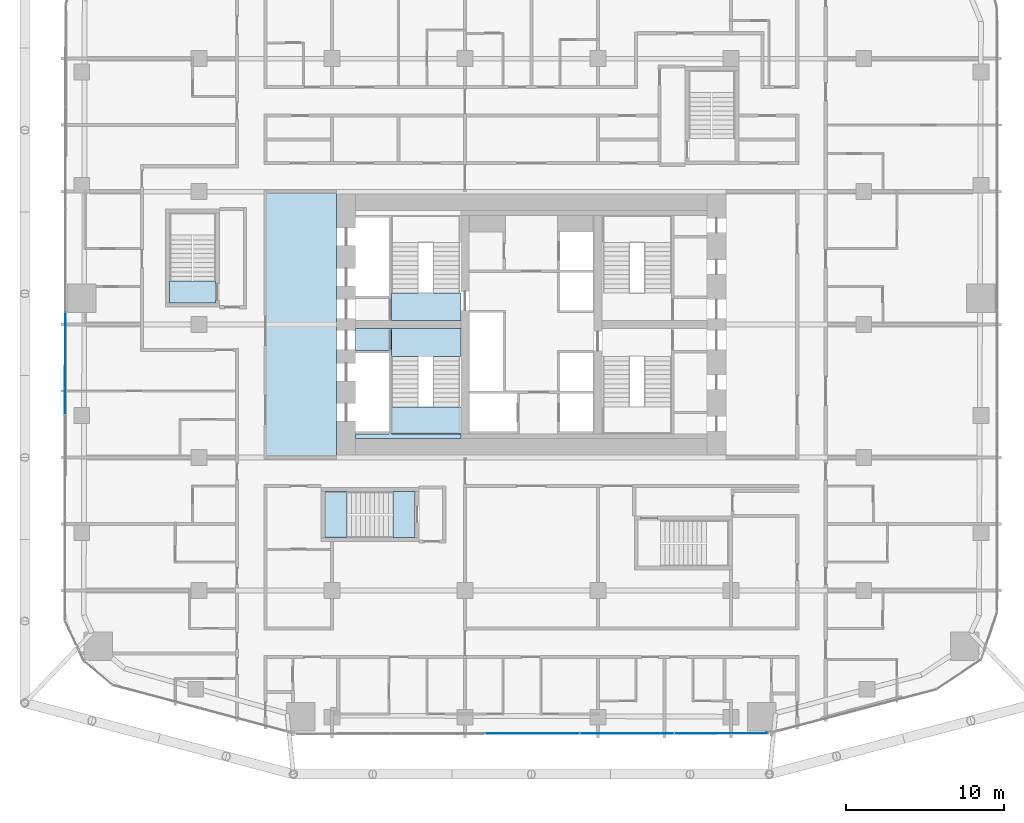
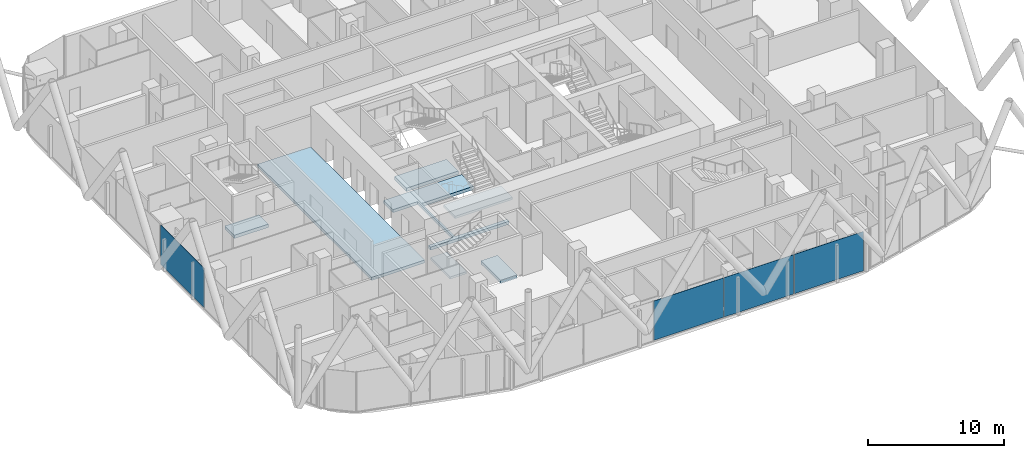
# One storey, part 19 of 34: 8 slabs, 4 plates, 4 elements without a shape of their own.
"""IFC4 building model written with IfcOpenShell, lengths in metres."""

from ifc_helpers import new_model, si_unit, direction, frame, origin, origin_2d, place, context, subcontext, project, spatial, polyline, rectangle, outline, extrude, material, layer, layer_set, type_object, element, aggregate, save


model = new_model("IFC4")

# Units and contexts
model_context = context("Model", 3, precision=1e-05, world=origin(), true_north=direction((0.0, 1.0)))
body_context = subcontext(model_context, "Body", "Model", "MODEL_VIEW")
ifc_project = project(units=[si_unit("LENGTHUNIT", "METRE"), si_unit("AREAUNIT", "SQUARE_METRE"), si_unit("VOLUMEUNIT", "CUBIC_METRE"), si_unit("PLANEANGLEUNIT", "RADIAN"), si_unit("MASSUNIT", "GRAM", prefix="KILO")], contexts=[model_context])

# Site, building, storey
site_placement = place(None, origin())
site = spatial("IfcSite", under=ifc_project, at=site_placement, CompositionType="ELEMENT")
building_placement = place(site_placement, origin())
building = spatial("IfcBuilding", under=site, at=building_placement, Name="Marenta Gate Hotel Tower", CompositionType="ELEMENT")
storey_placement = place(building_placement, frame((0.0, 0.0, 76.10009765625)))
storey = spatial("IfcBuildingStorey", under=building, at=storey_placement, Name="L17", CompositionType="ELEMENT", Elevation=76.10009765625)

# Slabs
ifc_material_1 = material(Name="Concrete C40", Category="concrete")
ifc_layer_1 = layer(ifc_material_1, 0.260009765625)
ifc_layer_set_1 = layer_set([ifc_layer_1], Name="Concrete C40")
slab_type_1 = type_object("IfcSlabType", Name="Core floor slab 260", PredefinedType="FLOOR", material=ifc_layer_set_1)
slab_1_placement = place(storey_placement, frame((0.0, 0.0, -0.260009765625)))
element("IfcSlab", 1, at=slab_1_placement, inside=storey, type_object=slab_type_1, Name="L17-CF-5", PredefinedType="FLOOR", context=body_context, shape_type="SweptSolid", body=[
    extrude(outline(polyline([(-9.0, 1.5), (-9.0, 1.64990234375), (-9.0, 4.050048828125), (-9.0, 4.199951171875), (-9.0, 6.60009765625), (-9.0, 6.75), (-11.10009765625, 6.75), (-11.10009765625, 8.14990234375), (-8.85009765625, 8.14990234375), (-8.85009765625, 8.10009765625), (-8.85009765625, 6.39990234375), (-8.85009765625, 1.5), (-4.449951171875, 1.5), (-4.449951171875, 1.199951171875), (-11.10009765625, 1.199951171875), (-11.10009765625, 1.5), (-9.0, 1.5)])), origin(), (0.0, 0.0, 1.0), 0.260009765625),
])
slab_2_placement = place(storey_placement, frame((0.0, 0.0, -0.260009765625)))
element("IfcSlab", 2, at=slab_2_placement, inside=storey, type_object=slab_type_1, Name="L17-CF-7", PredefinedType="FLOOR", context=body_context, shape_type="SweptSolid", body=[
    extrude(outline(polyline([(-12.300048828125, 16.800048828125), (-12.300048828125, 0.0), (-16.800048828125, 0.0), (-16.800048828125, 16.800048828125), (-12.300048828125, 16.800048828125)])), origin(), (0.0, 0.0, 1.0), 0.260009765625),
])

# Stair, slab
ifc_material_2 = material(Name="Concrete C40", Category="concrete")
stair_type_1 = type_object("IfcStairType", Name="Core exit stair 1700 wide", PredefinedType="HALF_TURN_STAIR", material=ifc_material_2)
stair_1_placement = place(storey_placement, origin())
stair_1 = element("IfcStair", 3, at=stair_1_placement, inside=storey, type_object=stair_type_1, Name="Exit stair 1", PredefinedType="HALF_TURN_STAIR")
ifc_material_3 = material(Name="Concrete C40", Category="concrete")
ifc_layer_2 = layer(ifc_material_3, 0.199951171875)
ifc_layer_set_2 = layer_set([ifc_layer_2], Name="Concrete C40")
slab_type_2 = type_object("IfcSlabType", Name="Core stair landing 200", PredefinedType="LANDING", material=ifc_layer_set_2)
slab_3_placement = place(storey_placement, frame((0.0, 0.0, 1.599853515625)))
slab_3 = element("IfcSlab", 4, at=slab_3_placement, type_object=slab_type_2, Name="SL-200 ST1 landing 1", PredefinedType="LANDING", context=body_context, shape_type="SweptSolid", body=[
    extrude(outline(polyline([(-8.85009765625, 1.5), (-3.949951171875, 1.5), (-3.949951171875, 3.2099609375), (-8.85009765625, 3.2099609375), (-8.85009765625, 1.5)])), origin(), (0.0, 0.0, 1.0), 0.199951171875),
])
aggregate(stair_1, [slab_3])

# Curtain wall, plate
ifc_material_4 = material(Name="Tinted insulated glass in bronze anodised frame", Category="glass")
ifc_layer_3 = layer(ifc_material_4, 0.1201171875)
ifc_layer_set_3 = layer_set([ifc_layer_3], Name="Tinted insulated glass in bronze anodised frame")
curtain_wall_type = type_object("IfcCurtainWallType", Name="Tower unitised curtain wall CW1", PredefinedType="NOTDEFINED", material=ifc_layer_set_3)
curtain_wall_1_placement = place(storey_placement, origin())
curtain_wall_1 = element("IfcCurtainWall", 5, at=curtain_wall_1_placement, inside=storey, type_object=curtain_wall_type, Name="CW1 run G04", PredefinedType="NOTDEFINED")
ifc_material_5 = material(Name="Tinted insulated glass", Category="glass")
ifc_layer_4 = layer(ifc_material_5, 0.028076171875)
ifc_layer_set_4 = layer_set([ifc_layer_4], Name="Tinted insulated glass")
plate_type = type_object("IfcPlateType", Name="Glass panel CW1 28 mm tinted insulated unit", PredefinedType="CURTAIN_PANEL", material=ifc_layer_set_4)
plate_1_placement = place(storey_placement, frame((-29.447998046875, 5.949951171875, 0.059814453125), z_axis=(0.0, 0.0, 1.0), x_axis=(-0.00156642217, -0.99999877316, 0.0)))
plate_1 = element("IfcPlate", 6, at=plate_1_placement, type_object=plate_type, Name="CW1 panel 4.1", PredefinedType="CURTAIN_PANEL", context=body_context, shape_type="SweptSolid", body=[
    extrude(rectangle(XDim=6.430419921875, YDim=0.028076171875, at=origin_2d()), origin(), (0.0, 0.0, 1.0), 3.5400390625),
])
aggregate(curtain_wall_1, [plate_1])

# Curtain wall, plates
curtain_wall_2_placement = place(storey_placement, origin())
curtain_wall_2 = element("IfcCurtainWall", 7, at=curtain_wall_2_placement, inside=storey, type_object=curtain_wall_type, Name="CW1 run G11", PredefinedType="NOTDEFINED")
plate_2_placement = place(storey_placement, frame((0.0615234375, -17.430419921875, 0.059814453125), z_axis=(0.0, 0.0, 1.0), x_axis=(0.999999324969, 0.001161921639, 0.0)))
plate_2 = element("IfcPlate", 8, at=plate_2_placement, type_object=plate_type, Name="CW1 panel 3.1", PredefinedType="CURTAIN_PANEL", context=body_context, shape_type="SweptSolid", body=[
    extrude(rectangle(XDim=5.912841796875, YDim=0.028076171875, at=origin_2d()), origin(), (0.0, 0.0, 1.0), 3.5400390625),
])
plate_3_placement = place(storey_placement, frame((6.034423828125, -17.423583984375, 0.059814453125), z_axis=(0.0, 0.0, 1.0), x_axis=(0.999999324969, 0.001161921639, 0.0)))
plate_3 = element("IfcPlate", 9, at=plate_3_placement, type_object=plate_type, Name="CW1 panel 4.1", PredefinedType="CURTAIN_PANEL", context=body_context, shape_type="SweptSolid", body=[
    extrude(rectangle(XDim=5.912841796875, YDim=0.028076171875, at=origin_2d()), origin(), (0.0, 0.0, 1.0), 3.5400390625),
])
plate_4_placement = place(storey_placement, frame((11.9921875, -17.41650390625, 0.059814453125), z_axis=(0.0, 0.0, 1.0), x_axis=(0.999999324969, 0.001161921639, 0.0)))
plate_4 = element("IfcPlate", 10, at=plate_4_placement, type_object=plate_type, Name="CW1 panel 5.1", PredefinedType="CURTAIN_PANEL", context=body_context, shape_type="SweptSolid", body=[
    extrude(rectangle(XDim=5.8828125, YDim=0.028076171875, at=origin_2d()), origin(), (0.0, 0.0, 1.0), 3.5400390625),
])
aggregate(curtain_wall_2, [plate_2, plate_3, plate_4])

# Stair, slab
ifc_material_6 = material(Name="Concrete C40", Category="concrete")
stair_type_2 = type_object("IfcStairType", Name="Remote exit stair 1400 wide", PredefinedType="HALF_TURN_STAIR", material=ifc_material_6)
stair_2_placement = place(storey_placement, origin())
stair_2 = element("IfcStair", 11, at=stair_2_placement, inside=storey, type_object=stair_type_2, Name="Exit stair RS-Z1-2", PredefinedType="HALF_TURN_STAIR")
ifc_material_7 = material(Name="Concrete C40", Category="concrete")
ifc_layer_5 = layer(ifc_material_7, 0.199951171875)
ifc_layer_set_5 = layer_set([ifc_layer_5], Name="Concrete C40")
slab_type_3 = type_object("IfcSlabType", Name="Remote stair landing 200", PredefinedType="LANDING", material=ifc_layer_set_5)
slab_4_placement = place(storey_placement, frame((0.0, 0.0, 1.599853515625)))
slab_4 = element("IfcSlab", 12, at=slab_4_placement, type_object=slab_type_3, Name="RL-200 RS-Z1-2 landing 1", PredefinedType="LANDING", context=body_context, shape_type="SweptSolid", body=[
    extrude(outline(polyline([(-13.050048828125, -5.050048828125), (-11.64990234375, -5.050048828125), (-11.64990234375, -2.14990234375), (-13.050048828125, -2.14990234375), (-13.050048828125, -5.050048828125)])), origin(), (0.0, 0.0, 1.0), 0.199951171875),
])
aggregate(stair_2, [slab_4])

# Slabs
ifc_material_8 = material(Name="Concrete C40", Category="concrete")
ifc_layer_6 = layer(ifc_material_8, 0.300048828125)
ifc_layer_set_6 = layer_set([ifc_layer_6], Name="Concrete C40")
slab_type_4 = type_object("IfcSlabType", Name="Stair floor landing slab 300", PredefinedType="FLOOR", material=ifc_layer_set_6)
slab_5_placement = place(storey_placement, frame((0.0, 0.0, -0.300048828125)))
element("IfcSlab", 13, at=slab_5_placement, inside=storey, type_object=slab_type_4, Name="L17-CL-ST1-1", PredefinedType="FLOOR", context=body_context, shape_type="SweptSolid", body=[
    extrude(outline(polyline([(-4.449951171875, 6.39990234375), (-8.85009765625, 6.39990234375), (-8.85009765625, 8.10009765625), (-8.85009765625, 8.14990234375), (-4.449951171875, 8.14990234375), (-4.449951171875, 6.39990234375)])), origin(), (0.0, 0.0, 1.0), 0.300048828125),
])
slab_6_placement = place(storey_placement, frame((0.0, 0.0, -0.300048828125)))
element("IfcSlab", 14, at=slab_6_placement, inside=storey, type_object=slab_type_4, Name="L17-CL-ST2-1", PredefinedType="FLOOR", context=body_context, shape_type="SweptSolid", body=[
    extrude(outline(polyline([(-4.449951171875, 8.64990234375), (-8.85009765625, 8.64990234375), (-8.85009765625, 8.699951171875), (-8.85009765625, 10.39990234375), (-4.449951171875, 10.39990234375), (-4.449951171875, 8.64990234375)])), origin(), (0.0, 0.0, 1.0), 0.300048828125),
])
slab_7_placement = place(storey_placement, frame((0.0, 0.0, -0.300048828125)))
element("IfcSlab", 15, at=slab_7_placement, inside=storey, type_object=slab_type_4, Name="L17-RS-Z1-2-CL", PredefinedType="FLOOR", context=body_context, shape_type="SweptSolid", body=[
    extrude(outline(polyline([(-7.35009765625, -5.050048828125), (-7.35009765625, -2.14990234375), (-8.75, -2.14990234375), (-8.75, -5.050048828125), (-7.35009765625, -5.050048828125)])), origin(), (0.0, 0.0, 1.0), 0.300048828125),
])
slab_8_placement = place(storey_placement, frame((0.0, 0.0, -0.300048828125)))
element("IfcSlab", 16, at=slab_8_placement, inside=storey, type_object=slab_type_4, Name="L17-RS-Z1-3-CL", PredefinedType="FLOOR", context=body_context, shape_type="SweptSolid", body=[
    extrude(outline(polyline([(-19.949951171875, 9.75), (-19.949951171875, 11.14990234375), (-22.85009765625, 11.14990234375), (-22.85009765625, 9.75), (-19.949951171875, 9.75)])), origin(), (0.0, 0.0, 1.0), 0.300048828125),
])

save(model, "model.ifc")
